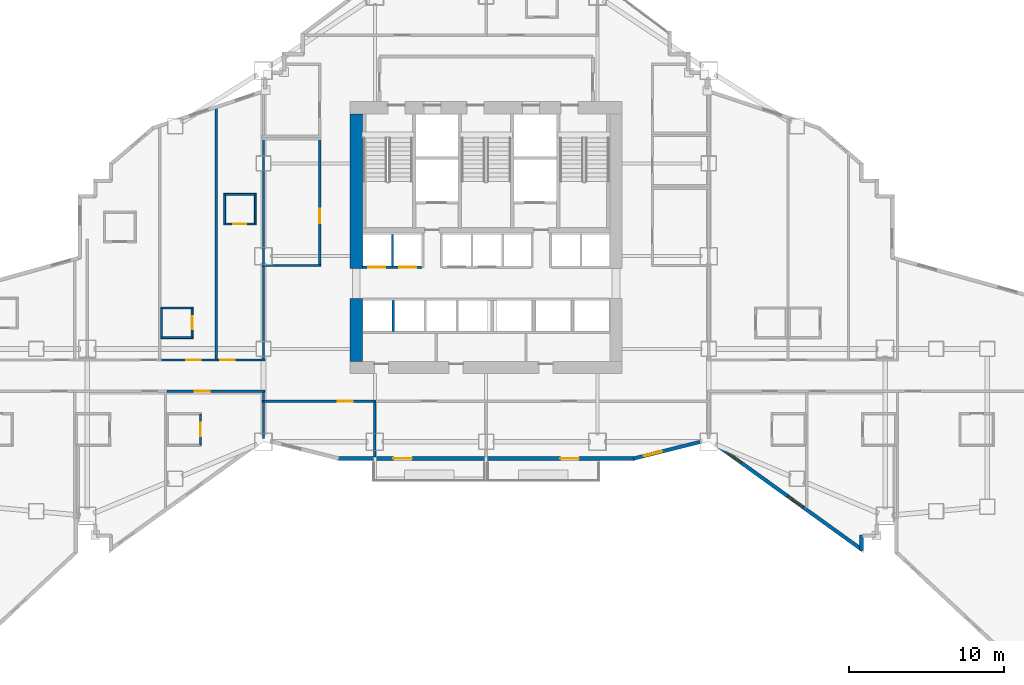
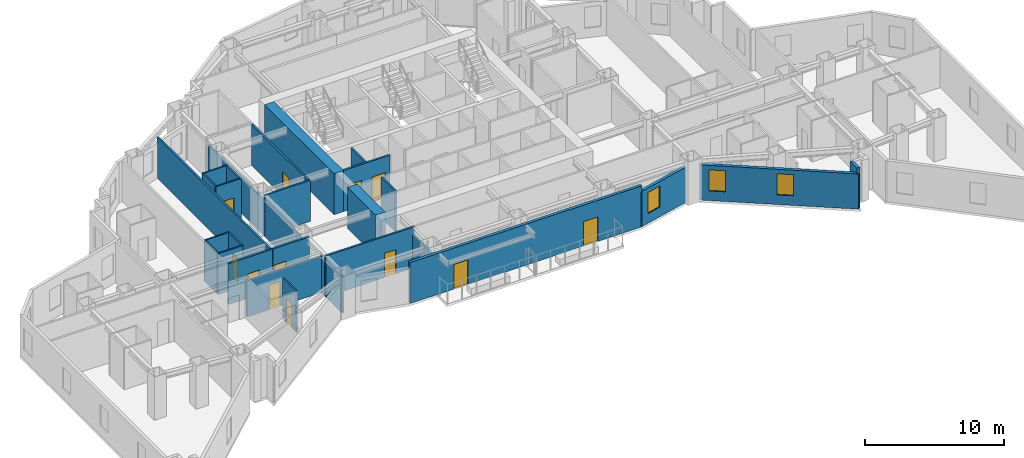
# One storey, part 8 of 16: 30 walls, 12 doors, 3 windows, 15 openings.
"""IFC4 building model written with IfcOpenShell, lengths in metres."""

from ifc_helpers import new_model, si_unit, direction, frame, frame_2d, origin, place, context, subcontext, project, spatial, rectangle, extrude, material, layer, layer_set, type_object, element, fill, save


model = new_model("IFC4")

# Units and contexts
model_context = context("Model", 3, precision=1e-05, world=origin(), true_north=direction((0.0, 1.0)))
body_context = subcontext(model_context, "Body", "Model", "MODEL_VIEW")
ifc_project = project(units=[si_unit("LENGTHUNIT", "METRE"), si_unit("AREAUNIT", "SQUARE_METRE"), si_unit("VOLUMEUNIT", "CUBIC_METRE"), si_unit("PLANEANGLEUNIT", "RADIAN"), si_unit("MASSUNIT", "GRAM", prefix="KILO")], contexts=[model_context])

# Site, building, storey
site_placement = place(None, origin())
site = spatial("IfcSite", under=ifc_project, at=site_placement, CompositionType="ELEMENT")
building_placement = place(site_placement, origin())
building = spatial("IfcBuilding", under=site, at=building_placement, Name="Haolan Belvedere Tower", CompositionType="ELEMENT")
storey_placement = place(building_placement, frame((0.0, 0.0, 74.199951171875)))
storey = spatial("IfcBuildingStorey", under=building, at=storey_placement, Name="L18", CompositionType="ELEMENT", Elevation=74.199951171875)

# Walls
ifc_material_1 = material(Name="Concrete C70/85", Category="concrete")
ifc_layer_1 = layer(ifc_material_1, 0.800048828125, Name="Concrete C70/85")
ifc_layer_set_1 = layer_set([ifc_layer_1], Name="Concrete C70/85")
wall_type_1 = type_object("IfcWallType", Name="WL-CORE-800", PredefinedType="SHEAR", material=ifc_layer_set_1)
wall_1_placement = place(storey_placement, frame((30.0, 26.800048828125, 0.0), z_axis=(0.0, 0.0, 1.0), x_axis=(0.0, 1.0, 0.0)))
element("IfcWall", 1, at=wall_1_placement, inside=storey, type_object=wall_type_1, Name="L18 central core shear wall WS", PredefinedType="SHEAR", context=body_context, shape_type="SweptSolid", body=[
    extrude(rectangle(XDim=4.050048828125, YDim=0.800048828125, at=frame_2d((2.02490234375, 0.0))), origin(), (0.0, 0.0, 1.0), 3.60009765625),
])
wall_2_placement = place(storey_placement, frame((30.0, 32.800048828125, 0.0), z_axis=(0.0, 0.0, 1.0), x_axis=(0.0, 1.0, 0.0)))
element("IfcWall", 2, at=wall_2_placement, inside=storey, type_object=wall_type_1, Name="L18 central core shear wall WN", PredefinedType="SHEAR", context=body_context, shape_type="SweptSolid", body=[
    extrude(rectangle(XDim=10.0, YDim=0.800048828125, at=frame_2d((5.0, 0.0))), origin(), (0.0, 0.0, 1.0), 3.60009765625),
])

# Wall, openings, doors
ifc_material_2 = material(Name="Precast concrete C40/50", Category="concrete")
ifc_layer_2 = layer(ifc_material_2, 0.239990234375, Name="Precast concrete C40/50")
ifc_layer_set_2 = layer_set([ifc_layer_2], Name="Precast concrete C40/50")
wall_type_2 = type_object("IfcWallType", Name="WL-EXT-240", PredefinedType="SOLIDWALL", material=ifc_layer_set_2)
wall_3_placement = place(storey_placement, frame((28.759765625, 20.52001953125, 0.0), z_axis=(0.0, 0.0, 1.0), x_axis=(1.0, 0.0, 0.0)))
wall_3 = element("IfcWall", 3, at=wall_3_placement, inside=storey, type_object=wall_type_2, Name="L18 pale-metal exterior spandrel wall 13.1", PredefinedType="SOLIDWALL", context=body_context, shape_type="SweptSolid", body=[
    extrude(rectangle(XDim=19.280517578125, YDim=0.239990234375, at=frame_2d((9.64013671875, 0.0))), origin(), (0.0, 0.0, 1.0), 3.60009765625),
])
opening_1_placement = place(wall_3_placement, frame((4.840087890625, 0.0, 0.0), z_axis=(0.0, 0.0, 1.0), x_axis=(-1.0, 0.0, 0.0)))
opening_1 = element("IfcOpeningElement", 4, at=opening_1_placement, cuts=wall_3, Name="Opening BD-01", PredefinedType="OPENING", context=body_context, shape_type="SweptSolid", body=[
    extrude(rectangle(XDim=1.199951171875, YDim=2.14990234375, at=frame_2d((0.60009765625, 1.074951171875))), frame((0.0, 0.1298828125, 0.0), z_axis=(0.0, -1.0, 0.0), x_axis=(1.0, 0.0, 0.0)), (0.0, 0.0, 1.0), 0.260009765625),
])
opening_2_placement = place(wall_3_placement, frame((15.64013671875, 0.0, 0.0), z_axis=(0.0, 0.0, 1.0), x_axis=(-1.0, 0.0, 0.0)))
opening_2 = element("IfcOpeningElement", 5, at=opening_2_placement, cuts=wall_3, Name="Opening BD-01", PredefinedType="OPENING", context=body_context, shape_type="SweptSolid", body=[
    extrude(rectangle(XDim=1.199951171875, YDim=2.14990234375, at=frame_2d((0.60009765625, 1.074951171875))), frame((0.0, 0.1298828125, 0.0), z_axis=(0.0, -1.0, 0.0), x_axis=(1.0, 0.0, 0.0)), (0.0, 0.0, 1.0), 0.260009765625),
])
ifc_material_3 = material(Name="Thermally broken pale-metal aluminium and Low-E glass", Category="aluminium")
door_type_1 = type_object("IfcDoorType", Name="DR-BAL-1200", OperationType="NOTDEFINED", PredefinedType="DOOR", material=ifc_material_3)
door_1_placement = place(opening_1_placement, origin())
door_1 = element("IfcDoor", 6, at=door_1_placement, inside=storey, type_object=door_type_1, Name="L18 tree-balcony access door 1", OperationType="SINGLE_SWING_RIGHT", OverallHeight=2.14990234375, OverallWidth=1.199951171875, PredefinedType="DOOR", context=body_context, shape_type="SweptSolid", body=[
    extrude(rectangle(XDim=1.199951171875, YDim=2.14990234375, at=frame_2d((0.60009765625, 1.074951171875))), frame((0.0, 0.02490234375, 0.0), z_axis=(0.0, -1.0, 0.0), x_axis=(1.0, 0.0, 0.0)), (0.0, 0.0, 1.0), 0.050048828125),
])
fill(opening_1, door_1)
door_2_placement = place(opening_2_placement, origin())
door_2 = element("IfcDoor", 7, at=door_2_placement, inside=storey, type_object=door_type_1, Name="L18 tree-balcony access door 2", OperationType="SINGLE_SWING_LEFT", OverallHeight=2.14990234375, OverallWidth=1.199951171875, PredefinedType="DOOR", context=body_context, shape_type="SweptSolid", body=[
    extrude(rectangle(XDim=1.199951171875, YDim=2.14990234375, at=frame_2d((0.60009765625, 1.074951171875))), frame((0.0, 0.02490234375, 0.0), z_axis=(0.0, -1.0, 0.0), x_axis=(1.0, 0.0, 0.0)), (0.0, 0.0, 1.0), 0.050048828125),
])
fill(opening_2, door_2)

# Wall, opening, window
wall_4_placement = place(storey_placement, frame((47.931884765625, 20.506591796875, 0.0), z_axis=(0.0, 0.0, 1.0), x_axis=(0.970145739396, 0.242522667667, 0.0)))
wall_4 = element("IfcWall", 8, at=wall_4_placement, inside=storey, type_object=wall_type_2, Name="L18 pale-metal exterior spandrel wall 14.1", PredefinedType="SOLIDWALL", context=body_context, shape_type="SweptSolid", body=[
    extrude(rectangle(XDim=4.433349609375, YDim=0.239990234375, at=frame_2d((2.216796875, 0.0))), origin(), (0.0, 0.0, 1.0), 3.09716796875),
])
opening_3_placement = place(wall_4_placement, frame((0.699951171875, 0.0, 0.85009765625)))
opening_3 = element("IfcOpeningElement", 9, at=opening_3_placement, cuts=wall_4, Name="Opening W-01", PredefinedType="OPENING", context=body_context, shape_type="SweptSolid", body=[
    extrude(rectangle(XDim=1.199951171875, YDim=1.85009765625, at=frame_2d((0.60009765625, 0.925048828125))), frame((0.0, 0.1298828125, 0.0), z_axis=(0.0, -1.0, 0.0), x_axis=(1.0, 0.0, 0.0)), (0.0, 0.0, 1.0), 0.260009765625),
])
ifc_material_4 = material(Name="Anodised aluminium 6063-T6 and Low-E glass", Category="aluminium")
window_type = type_object("IfcWindowType", Name="WN-DECO-Z1", PartitioningType="SINGLE_PANEL", PredefinedType="WINDOW", material=ifc_material_4)
window_1_placement = place(opening_3_placement, origin())
window_1 = element("IfcWindow", 10, at=window_1_placement, inside=storey, type_object=window_type, Name="L18 Art Deco chevron window 1", OverallHeight=1.85009765625, OverallWidth=1.199951171875, PartitioningType="SINGLE_PANEL", PredefinedType="WINDOW", context=body_context, shape_type="SweptSolid", body=[
    extrude(rectangle(XDim=1.199951171875, YDim=1.85009765625, at=frame_2d((0.60009765625, 0.925048828125))), frame((0.0, 0.030029296875, 0.0), z_axis=(0.0, -1.0, 0.0), x_axis=(1.0, 0.0, 0.0)), (0.0, 0.0, 1.0), 0.06005859375),
])
fill(opening_3, window_1)

# Wall, openings, windows
wall_5_placement = place(storey_placement, frame((53.366943359375, 21.339599609375, 0.0), z_axis=(0.0, 0.0, 1.0), x_axis=(0.811543176492, -0.58429245476, 0.0)))
wall_5 = element("IfcWall", 11, at=wall_5_placement, inside=storey, type_object=wall_type_2, Name="L18 pale-metal exterior spandrel wall 15.1", PredefinedType="SOLIDWALL", context=body_context, shape_type="SweptSolid", body=[
    extrude(rectangle(XDim=11.53076171875, YDim=0.239990234375, at=frame_2d((5.765380859375, 0.0))), origin(), (0.0, 0.0, 1.0), 3.09716796875),
])
opening_4_placement = place(wall_5_placement, frame((0.699951171875, 0.0, 0.85009765625)))
opening_4 = element("IfcOpeningElement", 12, at=opening_4_placement, cuts=wall_5, Name="Opening W-01", PredefinedType="OPENING", context=body_context, shape_type="SweptSolid", body=[
    extrude(rectangle(XDim=1.199951171875, YDim=1.85009765625, at=frame_2d((0.60009765625, 0.925048828125))), frame((0.0, 0.1298828125, 0.0), z_axis=(0.0, -1.0, 0.0), x_axis=(1.0, 0.0, 0.0)), (0.0, 0.0, 1.0), 0.260009765625),
])
opening_5_placement = place(wall_5_placement, frame((5.60302734375, 0.0, 0.85009765625)))
opening_5 = element("IfcOpeningElement", 13, at=opening_5_placement, cuts=wall_5, Name="Opening W-01", PredefinedType="OPENING", context=body_context, shape_type="SweptSolid", body=[
    extrude(rectangle(XDim=1.199951171875, YDim=1.85009765625, at=frame_2d((0.60009765625, 0.925048828125))), frame((0.0, 0.1298828125, 0.0), z_axis=(0.0, -1.0, 0.0), x_axis=(1.0, 0.0, 0.0)), (0.0, 0.0, 1.0), 0.260009765625),
])
window_2_placement = place(opening_4_placement, origin())
window_2 = element("IfcWindow", 14, at=window_2_placement, inside=storey, type_object=window_type, Name="L18 Art Deco chevron window 1", OverallHeight=1.85009765625, OverallWidth=1.199951171875, PartitioningType="SINGLE_PANEL", PredefinedType="WINDOW", context=body_context, shape_type="SweptSolid", body=[
    extrude(rectangle(XDim=1.199951171875, YDim=1.85009765625, at=frame_2d((0.60009765625, 0.925048828125))), frame((0.0, 0.030029296875, 0.0), z_axis=(0.0, -1.0, 0.0), x_axis=(1.0, 0.0, 0.0)), (0.0, 0.0, 1.0), 0.06005859375),
])
fill(opening_4, window_2)
window_3_placement = place(opening_5_placement, origin())
window_3 = element("IfcWindow", 15, at=window_3_placement, inside=storey, type_object=window_type, Name="L18 Art Deco chevron window 2", OverallHeight=1.85009765625, OverallWidth=1.199951171875, PartitioningType="SINGLE_PANEL", PredefinedType="WINDOW", context=body_context, shape_type="SweptSolid", body=[
    extrude(rectangle(XDim=1.199951171875, YDim=1.85009765625, at=frame_2d((0.60009765625, 0.925048828125))), frame((0.0, 0.030029296875, 0.0), z_axis=(0.0, -1.0, 0.0), x_axis=(1.0, 0.0, 0.0)), (0.0, 0.0, 1.0), 0.06005859375),
])
fill(opening_5, window_3)

# Walls
wall_6_placement = place(storey_placement, frame((62.679931640625, 14.579345703125, 0.0), z_axis=(0.0, 0.0, 1.0), x_axis=(0.0, 1.0, 0.0)))
element("IfcWall", 16, at=wall_6_placement, inside=storey, type_object=wall_type_2, Name="L18 pale-metal exterior spandrel wall 16.1", PredefinedType="SOLIDWALL", context=body_context, shape_type="SweptSolid", body=[
    extrude(rectangle(XDim=0.99560546875, YDim=0.239990234375, at=frame_2d((0.497802734375, 0.0))), origin(), (0.0, 0.0, 1.0), 3.60009765625),
])
ifc_material_5 = material(Name="Double gypsum acoustic stud partition", Category="masonry")
ifc_layer_3 = layer(ifc_material_5, 0.14990234375, Name="Double gypsum acoustic stud partition")
ifc_layer_set_3 = layer_set([ifc_layer_3], Name="Double gypsum acoustic stud partition")
wall_type_3 = type_object("IfcWallType", Name="WL-PART-150", PredefinedType="PARTITIONING", material=ifc_layer_set_3)
wall_7_placement = place(storey_placement, frame((23.919921875, 33.0, 0.0), z_axis=(0.0, 0.0, 1.0), x_axis=(1.0, 0.0, 0.0)))
element("IfcWall", 17, at=wall_7_placement, inside=storey, type_object=wall_type_3, Name="L18 interior partition IW-L18-SAL-S", PredefinedType="PARTITIONING", context=body_context, shape_type="SweptSolid", body=[
    extrude(rectangle(XDim=3.800048828125, YDim=0.14990234375, at=frame_2d((1.89990234375, 0.0))), origin(), (0.0, 0.0, 1.0), 3.60009765625),
])
wall_8_placement = place(storey_placement, frame((24.0, 33.06005859375, 0.0), z_axis=(0.0, 0.0, 1.0), x_axis=(0.0, 1.0, 0.0)))
element("IfcWall", 18, at=wall_8_placement, inside=storey, type_object=wall_type_3, Name="L18 interior partition IW-L18-SAL-W", PredefinedType="PARTITIONING", context=body_context, shape_type="SweptSolid", body=[
    extrude(rectangle(XDim=8.079833984375, YDim=0.14990234375, at=frame_2d((4.0400390625, 0.0))), origin(), (0.0, 0.0, 1.0), 3.09716796875),
])

# Wall, opening, door
wall_9_placement = place(storey_placement, frame((27.639892578125, 33.06005859375, 0.0), z_axis=(0.0, 0.0, 1.0), x_axis=(0.0, 1.0, 0.0)))
wall_9 = element("IfcWall", 19, at=wall_9_placement, inside=storey, type_object=wall_type_3, Name="L18 interior partition IW-L18-SAL-E", PredefinedType="PARTITIONING", context=body_context, shape_type="SweptSolid", body=[
    extrude(rectangle(XDim=8.079833984375, YDim=0.14990234375, at=frame_2d((4.0400390625, 0.0))), origin(), (0.0, 0.0, 1.0), 3.60009765625),
])
opening_6_placement = place(wall_9_placement, frame((3.60986328125, 0.0, 0.0), z_axis=(0.0, 0.0, 1.0), x_axis=(-1.0, 0.0, 0.0)))
opening_6 = element("IfcOpeningElement", 20, at=opening_6_placement, cuts=wall_9, Name="Opening ID-03", PredefinedType="OPENING", context=body_context, shape_type="SweptSolid", body=[
    extrude(rectangle(XDim=0.949951171875, YDim=2.1201171875, at=frame_2d((0.47509765625, 1.06005859375))), frame((0.0, 0.0849609375, 0.0), z_axis=(0.0, -1.0, 0.0), x_axis=(1.0, 0.0, 0.0)), (0.0, 0.0, 1.0), 0.169921875),
])
ifc_material_6 = material(Name="Painted solid-core timber", Category="wood")
door_type_2 = type_object("IfcDoorType", Name="DR-INT-950", OperationType="NOTDEFINED", PredefinedType="DOOR", material=ifc_material_6)
door_3_placement = place(opening_6_placement, origin())
door_3 = element("IfcDoor", 21, at=door_3_placement, inside=storey, type_object=door_type_2, Name="L18 door ID-L18-SAL", OperationType="SINGLE_SWING_LEFT", OverallHeight=2.1201171875, OverallWidth=0.949951171875, PredefinedType="DOOR", context=body_context, shape_type="SweptSolid", body=[
    extrude(rectangle(XDim=0.949951171875, YDim=2.1201171875, at=frame_2d((0.47509765625, 1.06005859375))), frame((0.0, 0.02490234375, 0.0), z_axis=(0.0, -1.0, 0.0), x_axis=(1.0, 0.0, 0.0)), (0.0, 0.0, 1.0), 0.050048828125),
])
fill(opening_6, door_3)

wall_10_placement = place(storey_placement, frame((23.919921875, 24.219970703125, 0.0), z_axis=(0.0, 0.0, 1.0), x_axis=(1.0, 0.0, 0.0)))
wall_10 = element("IfcWall", 22, at=wall_10_placement, inside=storey, type_object=wall_type_3, Name="L18 interior partition IW-L18-KS1-N", PredefinedType="PARTITIONING", context=body_context, shape_type="SweptSolid", body=[
    extrude(rectangle(XDim=7.360107421875, YDim=0.14990234375, at=frame_2d((3.68017578125, 0.0))), origin(), (0.0, 0.0, 1.0), 3.60009765625),
])
opening_7_placement = place(wall_10_placement, frame((5.844970703125, 0.0, 0.0), z_axis=(0.0, 0.0, 1.0), x_axis=(-1.0, 0.0, 0.0)))
opening_7 = element("IfcOpeningElement", 23, at=opening_7_placement, cuts=wall_10, Name="Opening ID-03", PredefinedType="OPENING", context=body_context, shape_type="SweptSolid", body=[
    extrude(rectangle(XDim=0.949951171875, YDim=2.1201171875, at=frame_2d((0.47509765625, 1.06005859375))), frame((0.0, 0.0849609375, 0.0), z_axis=(0.0, -1.0, 0.0), x_axis=(1.0, 0.0, 0.0)), (0.0, 0.0, 1.0), 0.169921875),
])
door_4_placement = place(opening_7_placement, origin())
door_4 = element("IfcDoor", 24, at=door_4_placement, inside=storey, type_object=door_type_2, Name="L18 door ID-L18-KS1", OperationType="SINGLE_SWING_RIGHT", OverallHeight=2.1201171875, OverallWidth=0.949951171875, PredefinedType="DOOR", context=body_context, shape_type="SweptSolid", body=[
    extrude(rectangle(XDim=0.949951171875, YDim=2.1201171875, at=frame_2d((0.47509765625, 1.06005859375))), frame((0.0, 0.02490234375, 0.0), z_axis=(0.0, -1.0, 0.0), x_axis=(1.0, 0.0, 0.0)), (0.0, 0.0, 1.0), 0.050048828125),
])
fill(opening_7, door_4)

# Walls
wall_11_placement = place(storey_placement, frame((24.0, 21.818603515625, 0.0), z_axis=(0.0, 0.0, 1.0), x_axis=(0.0, 1.0, 0.0)))
element("IfcWall", 25, at=wall_11_placement, inside=storey, type_object=wall_type_3, Name="L18 interior partition IW-L18-KS1-W", PredefinedType="PARTITIONING", context=body_context, shape_type="SweptSolid", body=[
    extrude(rectangle(XDim=2.34130859375, YDim=0.14990234375, at=frame_2d((1.170654296875, 0.0))), origin(), (0.0, 0.0, 1.0), 3.09716796875),
])
wall_12_placement = place(storey_placement, frame((31.199951171875, 20.625, 0.0), z_axis=(0.0, 0.0, 1.0), x_axis=(0.0, 1.0, 0.0)))
element("IfcWall", 26, at=wall_12_placement, inside=storey, type_object=wall_type_3, Name="L18 interior partition IW-L18-KS1-E", PredefinedType="PARTITIONING", context=body_context, shape_type="SweptSolid", body=[
    extrude(rectangle(XDim=3.534912109375, YDim=0.14990234375, at=frame_2d((1.767578125, 0.0))), origin(), (0.0, 0.0, 1.0), 2.985107421875),
])

# Wall, opening, door
wall_13_placement = place(storey_placement, frame((17.39208984375, 26.8798828125, 0.0), z_axis=(0.0, 0.0, 1.0), x_axis=(1.0, 0.0, 0.0)))
wall_13 = element("IfcWall", 27, at=wall_13_placement, inside=storey, type_object=wall_type_3, Name="L18 interior partition IW-L18-T2N2-S", PredefinedType="PARTITIONING", context=body_context, shape_type="SweptSolid", body=[
    extrude(rectangle(XDim=3.657958984375, YDim=0.14990234375, at=frame_2d((1.8291015625, 0.0))), origin(), (0.0, 0.0, 1.0), 3.60009765625),
])
opening_8_placement = place(wall_13_placement, frame((1.6005859375, 0.0, 0.0)))
opening_8 = element("IfcOpeningElement", 28, at=opening_8_placement, cuts=wall_13, Name="Opening ID-02", PredefinedType="OPENING", context=body_context, shape_type="SweptSolid", body=[
    extrude(rectangle(XDim=0.949951171875, YDim=2.14990234375, at=frame_2d((0.47509765625, 1.074951171875))), frame((0.0, 0.0849609375, 0.0), z_axis=(0.0, -1.0, 0.0), x_axis=(1.0, 0.0, 0.0)), (0.0, 0.0, 1.0), 0.169921875),
])
ifc_material_7 = material(Name="Acoustic oak veneer fire-rated timber", Category="wood")
door_type_3 = type_object("IfcDoorType", Name="DR-GUEST-950", OperationType="NOTDEFINED", PredefinedType="DOOR", material=ifc_material_7)
door_5_placement = place(opening_8_placement, origin())
door_5 = element("IfcDoor", 29, at=door_5_placement, inside=storey, type_object=door_type_3, Name="L18 door ID-L18-T2N2-ENT", OperationType="SINGLE_SWING_LEFT", OverallHeight=2.14990234375, OverallWidth=0.949951171875, PredefinedType="DOOR", context=body_context, shape_type="SweptSolid", body=[
    extrude(rectangle(XDim=0.949951171875, YDim=2.14990234375, at=frame_2d((0.47509765625, 1.074951171875))), frame((0.0, 0.02490234375, 0.0), z_axis=(0.0, -1.0, 0.0), x_axis=(1.0, 0.0, 0.0)), (0.0, 0.0, 1.0), 0.050048828125),
])
fill(opening_8, door_5)

# Wall
wall_14_placement = place(storey_placement, frame((20.949951171875, 26.93994140625, 0.0), z_axis=(0.0, 0.0, 1.0), x_axis=(0.0, 1.0, 0.0)))
element("IfcWall", 30, at=wall_14_placement, inside=storey, type_object=wall_type_3, Name="L18 interior partition IW-L18-T2N2-E", PredefinedType="PARTITIONING", context=body_context, shape_type="SweptSolid", body=[
    extrude(rectangle(XDim=16.206298828125, YDim=0.14990234375, at=frame_2d((8.10302734375, 0.0))), origin(), (0.0, 0.0, 1.0), 3.60009765625),
])

# Wall, opening, door
wall_15_placement = place(storey_placement, frame((21.052001953125, 26.8798828125, 0.0), z_axis=(0.0, 0.0, 1.0), x_axis=(1.0, 0.0, 0.0)))
wall_15 = element("IfcWall", 31, at=wall_15_placement, inside=storey, type_object=wall_type_3, Name="L18 interior partition IW-L18-T2N3-S", PredefinedType="PARTITIONING", context=body_context, shape_type="SweptSolid", body=[
    extrude(rectangle(XDim=3.048095703125, YDim=0.14990234375, at=frame_2d((1.52392578125, 0.0))), origin(), (0.0, 0.0, 1.0), 3.60009765625),
])
opening_9_placement = place(wall_15_placement, frame((0.139892578125, 0.0, 0.0)))
opening_9 = element("IfcOpeningElement", 32, at=opening_9_placement, cuts=wall_15, Name="Opening ID-02", PredefinedType="OPENING", context=body_context, shape_type="SweptSolid", body=[
    extrude(rectangle(XDim=0.949951171875, YDim=2.14990234375, at=frame_2d((0.47509765625, 1.074951171875))), frame((0.0, 0.0849609375, 0.0), z_axis=(0.0, -1.0, 0.0), x_axis=(1.0, 0.0, 0.0)), (0.0, 0.0, 1.0), 0.169921875),
])
door_6_placement = place(opening_9_placement, origin())
door_6 = element("IfcDoor", 33, at=door_6_placement, inside=storey, type_object=door_type_3, Name="L18 door ID-L18-T2N3-ENT", OperationType="SINGLE_SWING_RIGHT", OverallHeight=2.14990234375, OverallWidth=0.949951171875, PredefinedType="DOOR", context=body_context, shape_type="SweptSolid", body=[
    extrude(rectangle(XDim=0.949951171875, YDim=2.14990234375, at=frame_2d((0.47509765625, 1.074951171875))), frame((0.0, 0.02490234375, 0.0), z_axis=(0.0, -1.0, 0.0), x_axis=(1.0, 0.0, 0.0)), (0.0, 0.0, 1.0), 0.050048828125),
])
fill(opening_9, door_6)

# Wall
wall_16_placement = place(storey_placement, frame((24.0, 26.93994140625, 0.0), z_axis=(0.0, 0.0, 1.0), x_axis=(0.0, 1.0, 0.0)))
element("IfcWall", 34, at=wall_16_placement, inside=storey, type_object=wall_type_3, Name="L18 interior partition IW-L18-T2N3-E", PredefinedType="PARTITIONING", context=body_context, shape_type="SweptSolid", body=[
    extrude(rectangle(XDim=6.0, YDim=0.14990234375, at=frame_2d((3.0, 0.0))), origin(), (0.0, 0.0, 1.0), 3.09716796875),
])

# Wall, opening, door
wall_17_placement = place(storey_placement, frame((17.761962890625, 24.8701171875, 0.0), z_axis=(0.0, 0.0, 1.0), x_axis=(1.0, 0.0, 0.0)))
wall_17 = element("IfcWall", 35, at=wall_17_placement, inside=storey, type_object=wall_type_3, Name="L18 interior partition IW-L18-T2S2-N", PredefinedType="PARTITIONING", context=body_context, shape_type="SweptSolid", body=[
    extrude(rectangle(XDim=6.338134765625, YDim=0.14990234375, at=frame_2d((3.1689453125, 0.0))), origin(), (0.0, 0.0, 1.0), 3.18505859375),
])
opening_10_placement = place(wall_17_placement, frame((2.7470703125, 0.0, 0.0), z_axis=(0.0, 0.0, 1.0), x_axis=(-1.0, 0.0, 0.0)))
opening_10 = element("IfcOpeningElement", 36, at=opening_10_placement, cuts=wall_17, Name="Opening ID-01", PredefinedType="OPENING", context=body_context, shape_type="SweptSolid", body=[
    extrude(rectangle(XDim=0.949951171875, YDim=2.179931640625, at=frame_2d((0.47509765625, 1.08984375))), frame((0.0, 0.0849609375, 0.0), z_axis=(0.0, -1.0, 0.0), x_axis=(1.0, 0.0, 0.0)), (0.0, 0.0, 1.0), 0.169921875),
])
ifc_material_8 = material(Name="Acoustic walnut veneer fire-rated timber", Category="wood")
door_type_4 = type_object("IfcDoorType", Name="DR-SUITE-950", OperationType="NOTDEFINED", PredefinedType="DOOR", material=ifc_material_8)
door_7_placement = place(opening_10_placement, origin())
door_7 = element("IfcDoor", 37, at=door_7_placement, inside=storey, type_object=door_type_4, Name="L18 door ID-L18-T2S2-ENT", OperationType="SINGLE_SWING_RIGHT", OverallHeight=2.179931640625, OverallWidth=0.949951171875, PredefinedType="DOOR", context=body_context, shape_type="SweptSolid", body=[
    extrude(rectangle(XDim=0.949951171875, YDim=2.179931640625, at=frame_2d((0.47509765625, 1.08984375))), frame((0.0, 0.02490234375, 0.0), z_axis=(0.0, -1.0, 0.0), x_axis=(1.0, 0.0, 0.0)), (0.0, 0.0, 1.0), 0.050048828125),
])
fill(opening_10, door_7)

# Wall
wall_18_placement = place(storey_placement, frame((24.0, 24.280029296875, 0.0), z_axis=(0.0, 0.0, 1.0), x_axis=(0.0, 1.0, 0.0)))
element("IfcWall", 38, at=wall_18_placement, inside=storey, type_object=wall_type_3, Name="L18 interior partition IW-L18-T2S2-E", PredefinedType="PARTITIONING", context=body_context, shape_type="SweptSolid", body=[
    extrude(rectangle(XDim=0.530029296875, YDim=0.14990234375, at=frame_2d((0.26513671875, 0.0))), origin(), (0.0, 0.0, 1.0), 3.09716796875),
])

# Wall, openings, doors
ifc_material_9 = material(Name="Gypsum fire shaftwall assembly", Category="masonry")
ifc_layer_4 = layer(ifc_material_9, 0.1650390625, Name="Gypsum fire shaftwall assembly")
ifc_layer_set_4 = layer_set([ifc_layer_4], Name="Gypsum fire shaftwall assembly")
wall_type_4 = type_object("IfcWallType", Name="WL-SHAFT-160", PredefinedType="SOLIDWALL", material=ifc_layer_set_4)
wall_19_placement = place(storey_placement, frame((30.39990234375, 32.8798828125, 0.0), z_axis=(0.0, 0.0, 1.0), x_axis=(1.0, 0.0, 0.0)))
wall_19 = element("IfcWall", 39, at=wall_19_placement, inside=storey, type_object=wall_type_4, Name="L18 interior partition IW-L18-ROW-PN1", PredefinedType="SOLIDWALL", context=body_context, shape_type="SweptSolid", body=[
    extrude(rectangle(XDim=3.85009765625, YDim=0.159912109375, at=frame_2d((1.925048828125, 0.0))), origin(), (0.0, 0.0, 1.0), 3.60009765625),
])
opening_11_placement = place(wall_19_placement, frame((1.47998046875, 0.0, 0.0), z_axis=(0.0, 0.0, 1.0), x_axis=(-1.0, 0.0, 0.0)))
opening_11 = element("IfcOpeningElement", 40, at=opening_11_placement, cuts=wall_19, Name="Opening LD-01", PredefinedType="OPENING", context=body_context, shape_type="SweptSolid", body=[
    extrude(rectangle(XDim=1.10009765625, YDim=2.199951171875, at=frame_2d((0.550048828125, 1.10009765625))), frame((0.0, 0.08984375, 0.0), z_axis=(0.0, -1.0, 0.0), x_axis=(1.0, 0.0, 0.0)), (0.0, 0.0, 1.0), 0.179931640625),
])
opening_12_placement = place(wall_19_placement, frame((3.47021484375, 0.0, 0.0), z_axis=(0.0, 0.0, 1.0), x_axis=(-1.0, 0.0, 0.0)))
opening_12 = element("IfcOpeningElement", 41, at=opening_12_placement, cuts=wall_19, Name="Opening LD-01", PredefinedType="OPENING", context=body_context, shape_type="SweptSolid", body=[
    extrude(rectangle(XDim=1.10009765625, YDim=2.199951171875, at=frame_2d((0.550048828125, 1.10009765625))), frame((0.0, 0.08984375, 0.0), z_axis=(0.0, -1.0, 0.0), x_axis=(1.0, 0.0, 0.0)), (0.0, 0.0, 1.0), 0.179931640625),
])
ifc_material_10 = material(Name="Brushed champagne stainless steel 316L", Category="steel")
door_type_5 = type_object("IfcDoorType", Name="DR-LIFT-1100", OperationType="SLIDING_TO_LEFT", PredefinedType="DOOR", material=ifc_material_10)
door_8_placement = place(opening_11_placement, origin())
door_8 = element("IfcDoor", 42, at=door_8_placement, inside=storey, type_object=door_type_5, Name="L18 door ID-L18-LD-PL1", OperationType="SLIDING_TO_LEFT", OverallHeight=2.199951171875, OverallWidth=1.10009765625, PredefinedType="DOOR", context=body_context, shape_type="SweptSolid", body=[
    extrude(rectangle(XDim=1.10009765625, YDim=2.199951171875, at=frame_2d((0.550048828125, 1.10009765625))), frame((0.0, 0.02490234375, 0.0), z_axis=(0.0, -1.0, 0.0), x_axis=(1.0, 0.0, 0.0)), (0.0, 0.0, 1.0), 0.050048828125),
])
fill(opening_11, door_8)
door_9_placement = place(opening_12_placement, origin())
door_9 = element("IfcDoor", 43, at=door_9_placement, inside=storey, type_object=door_type_5, Name="L18 door ID-L18-LD-PL2", OperationType="SLIDING_TO_LEFT", OverallHeight=2.199951171875, OverallWidth=1.10009765625, PredefinedType="DOOR", context=body_context, shape_type="SweptSolid", body=[
    extrude(rectangle(XDim=1.10009765625, YDim=2.199951171875, at=frame_2d((0.550048828125, 1.10009765625))), frame((0.0, 0.02490234375, 0.0), z_axis=(0.0, -1.0, 0.0), x_axis=(1.0, 0.0, 0.0)), (0.0, 0.0, 1.0), 0.050048828125),
])
fill(opening_12, door_9)

# Walls
wall_20_placement = place(storey_placement, frame((32.340087890625, 32.949951171875, 0.0), z_axis=(0.0, 0.0, 1.0), x_axis=(0.0, 1.0, 0.0)))
element("IfcWall", 44, at=wall_20_placement, inside=storey, type_object=wall_type_4, Name="L18 interior partition IW-L18-DIV-PL1", PredefinedType="SOLIDWALL", context=body_context, shape_type="SweptSolid", body=[
    extrude(rectangle(XDim=2.050048828125, YDim=0.14990234375, at=frame_2d((1.02490234375, 0.0))), origin(), (0.0, 0.0, 1.0), 3.60009765625),
])
wall_21_placement = place(storey_placement, frame((32.39990234375, 28.735107421875, 0.0), z_axis=(0.0, 0.0, 1.0), x_axis=(0.0, 1.0, 0.0)))
element("IfcWall", 45, at=wall_21_placement, inside=storey, type_object=wall_type_4, Name="L18 interior partition IW-L18-DIV-PM1", PredefinedType="SOLIDWALL", context=body_context, shape_type="SweptSolid", body=[
    extrude(rectangle(XDim=1.98486328125, YDim=0.14990234375, at=frame_2d((0.992431640625, 0.0))), origin(), (0.0, 0.0, 1.0), 3.60009765625),
])
ifc_material_11 = material(Name="Moisture-resistant gypsum tile partition", Category="masonry")
ifc_layer_5 = layer(ifc_material_11, 0.1201171875, Name="Moisture-resistant gypsum tile partition")
ifc_layer_set_5 = layer_set([ifc_layer_5], Name="Moisture-resistant gypsum tile partition")
wall_type_5 = type_object("IfcWallType", Name="WL-WET-120", PredefinedType="PARTITIONING", material=ifc_layer_set_5)
for number, where, z_axis, x_axis, name in (
    (46, (17.35009765625, 30.25, 0.0), (0.0, 0.0, 1.0), (1.0, 0.0, 0.0), "L18 interior partition IW-L18-T2N2-BN"),
    (47, (17.35009765625, 28.330078125, 0.0), (0.0, 0.0, 1.0), (1.0, 0.0, 0.0), "L18 interior partition IW-L18-T2N2-BS"),
):
    element("IfcWall", number, at=place(storey_placement, frame(where, z_axis=z_axis, x_axis=x_axis)), inside=storey, type_object=wall_type_5, Name=name, PredefinedType="PARTITIONING", context=body_context, shape_type="SweptSolid", body=[
        extrude(rectangle(XDim=2.093994140625, YDim=0.1201171875, at=frame_2d((1.046875, 0.0))), origin(), (0.0, 0.0, 1.0), 3.60009765625),
    ])
wall_22_placement = place(storey_placement, frame((17.404296875, 28.375, 0.0), z_axis=(0.0, 0.0, 1.0), x_axis=(0.0, 1.0, 0.0)))
element("IfcWall", 48, at=wall_22_placement, inside=storey, type_object=wall_type_5, Name="L18 interior partition IW-L18-T2N2-BW", PredefinedType="PARTITIONING", context=body_context, shape_type="SweptSolid", body=[
    extrude(rectangle(XDim=1.830078125, YDim=0.1201171875, at=frame_2d((0.9150390625, 0.0))), origin(), (0.0, 0.0, 1.0), 3.60009765625),
])

# Wall, opening, door
wall_23_placement = place(storey_placement, frame((19.38427734375, 28.375, 0.0), z_axis=(0.0, 0.0, 1.0), x_axis=(0.0, 1.0, 0.0)))
wall_23 = element("IfcWall", 49, at=wall_23_placement, inside=storey, type_object=wall_type_5, Name="L18 interior partition IW-L18-T2N2-BE", PredefinedType="PARTITIONING", context=body_context, shape_type="SweptSolid", body=[
    extrude(rectangle(XDim=1.830078125, YDim=0.1201171875, at=frame_2d((0.9150390625, 0.0))), origin(), (0.0, 0.0, 1.0), 3.60009765625),
])
opening_13_placement = place(wall_23_placement, frame((0.489990234375, 0.0, 0.0)))
opening_13 = element("IfcOpeningElement", 50, at=opening_13_placement, cuts=wall_23, Name="Opening ID-05", PredefinedType="OPENING", context=body_context, shape_type="SweptSolid", body=[
    extrude(rectangle(XDim=0.85009765625, YDim=2.10009765625, at=frame_2d((0.425048828125, 1.050048828125))), frame((0.0, 0.070068359375, 0.0), z_axis=(0.0, -1.0, 0.0), x_axis=(1.0, 0.0, 0.0)), (0.0, 0.0, 1.0), 0.14013671875),
])
ifc_material_12 = material(Name="Moisture-resistant lacquered timber", Category="wood")
door_type_6 = type_object("IfcDoorType", Name="DR-BATH-850", OperationType="NOTDEFINED", PredefinedType="DOOR", material=ifc_material_12)
door_10_placement = place(opening_13_placement, origin())
door_10 = element("IfcDoor", 51, at=door_10_placement, inside=storey, type_object=door_type_6, Name="L18 door ID-L18-T2N2-BATH", OperationType="SINGLE_SWING_RIGHT", OverallHeight=2.10009765625, OverallWidth=0.85009765625, PredefinedType="DOOR", context=body_context, shape_type="SweptSolid", body=[
    extrude(rectangle(XDim=0.85009765625, YDim=2.10009765625, at=frame_2d((0.425048828125, 1.050048828125))), frame((0.0, 0.02490234375, 0.0), z_axis=(0.0, -1.0, 0.0), x_axis=(1.0, 0.0, 0.0)), (0.0, 0.0, 1.0), 0.050048828125),
])
fill(opening_13, door_10)

# Wall
wall_24_placement = place(storey_placement, frame((21.425048828125, 37.597900390625, 0.0), z_axis=(0.0, 0.0, 1.0), x_axis=(1.0, 0.0, 0.0)))
element("IfcWall", 52, at=wall_24_placement, inside=storey, type_object=wall_type_5, Name="L18 interior partition IW-L18-T2N3-BN", PredefinedType="PARTITIONING", context=body_context, shape_type="SweptSolid", body=[
    extrude(rectangle(XDim=2.099853515625, YDim=0.1201171875, at=frame_2d((1.0498046875, 0.0))), origin(), (0.0, 0.0, 1.0), 3.60009765625),
])

# Wall, opening, door
wall_25_placement = place(storey_placement, frame((21.425048828125, 35.677978515625, 0.0), z_axis=(0.0, 0.0, 1.0), x_axis=(1.0, 0.0, 0.0)))
wall_25 = element("IfcWall", 53, at=wall_25_placement, inside=storey, type_object=wall_type_5, Name="L18 interior partition IW-L18-T2N3-BS", PredefinedType="PARTITIONING", context=body_context, shape_type="SweptSolid", body=[
    extrude(rectangle(XDim=2.099853515625, YDim=0.1201171875, at=frame_2d((1.0498046875, 0.0))), origin(), (0.0, 0.0, 1.0), 3.60009765625),
])
opening_14_placement = place(wall_25_placement, frame((0.625, 0.0, 0.0)))
opening_14 = element("IfcOpeningElement", 54, at=opening_14_placement, cuts=wall_25, Name="Opening ID-05", PredefinedType="OPENING", context=body_context, shape_type="SweptSolid", body=[
    extrude(rectangle(XDim=0.85009765625, YDim=2.10009765625, at=frame_2d((0.425048828125, 1.050048828125))), frame((0.0, 0.070068359375, 0.0), z_axis=(0.0, -1.0, 0.0), x_axis=(1.0, 0.0, 0.0)), (0.0, 0.0, 1.0), 0.14013671875),
])
door_11_placement = place(opening_14_placement, origin())
door_11 = element("IfcDoor", 55, at=door_11_placement, inside=storey, type_object=door_type_6, Name="L18 door ID-L18-T2N3-BATH", OperationType="SINGLE_SWING_LEFT", OverallHeight=2.10009765625, OverallWidth=0.85009765625, PredefinedType="DOOR", context=body_context, shape_type="SweptSolid", body=[
    extrude(rectangle(XDim=0.85009765625, YDim=2.10009765625, at=frame_2d((0.425048828125, 1.050048828125))), frame((0.0, 0.02490234375, 0.0), z_axis=(0.0, -1.0, 0.0), x_axis=(1.0, 0.0, 0.0)), (0.0, 0.0, 1.0), 0.050048828125),
])
fill(opening_14, door_11)

# Walls
for number, where, z_axis, x_axis, name in (
    (56, (21.485107421875, 35.722900390625, 0.0), (0.0, 0.0, 1.0), (0.0, 1.0, 0.0), "L18 interior partition IW-L18-T2N3-BW"),
    (57, (23.465087890625, 35.722900390625, 0.0), (0.0, 0.0, 1.0), (0.0, 1.0, 0.0), "L18 interior partition IW-L18-T2N3-BE"),
):
    element("IfcWall", number, at=place(storey_placement, frame(where, z_axis=z_axis, x_axis=x_axis)), inside=storey, type_object=wall_type_5, Name=name, PredefinedType="PARTITIONING", context=body_context, shape_type="SweptSolid", body=[
        extrude(rectangle(XDim=1.830078125, YDim=0.1201171875, at=frame_2d((0.9150390625, 0.0))), origin(), (0.0, 0.0, 1.0), 3.60009765625),
    ])

# Wall, opening, door
wall_26_placement = place(storey_placement, frame((19.925048828125, 21.4150390625, 0.0), z_axis=(0.0, 0.0, 1.0), x_axis=(0.0, 1.0, 0.0)))
wall_26 = element("IfcWall", 58, at=wall_26_placement, inside=storey, type_object=wall_type_5, Name="L18 interior partition IW-L18-T2S2-BE", PredefinedType="PARTITIONING", context=body_context, shape_type="SweptSolid", body=[
    extrude(rectangle(XDim=1.9599609375, YDim=0.1201171875, at=frame_2d((0.97998046875, 0.0))), origin(), (0.0, 0.0, 1.0), 3.60009765625),
])
opening_15_placement = place(wall_26_placement, frame((0.554931640625, 0.0, 0.0)))
opening_15 = element("IfcOpeningElement", 59, at=opening_15_placement, cuts=wall_26, Name="Opening ID-05", PredefinedType="OPENING", context=body_context, shape_type="SweptSolid", body=[
    extrude(rectangle(XDim=0.85009765625, YDim=2.10009765625, at=frame_2d((0.425048828125, 1.050048828125))), frame((0.0, 0.070068359375, 0.0), z_axis=(0.0, -1.0, 0.0), x_axis=(1.0, 0.0, 0.0)), (0.0, 0.0, 1.0), 0.14013671875),
])
door_12_placement = place(opening_15_placement, origin())
door_12 = element("IfcDoor", 60, at=door_12_placement, inside=storey, type_object=door_type_6, Name="L18 door ID-L18-T2S2-BATH", OperationType="SINGLE_SWING_LEFT", OverallHeight=2.10009765625, OverallWidth=0.85009765625, PredefinedType="DOOR", context=body_context, shape_type="SweptSolid", body=[
    extrude(rectangle(XDim=0.85009765625, YDim=2.10009765625, at=frame_2d((0.425048828125, 1.050048828125))), frame((0.0, 0.02490234375, 0.0), z_axis=(0.0, -1.0, 0.0), x_axis=(1.0, 0.0, 0.0)), (0.0, 0.0, 1.0), 0.050048828125),
])
fill(opening_15, door_12)

save(model, "model.ifc")
